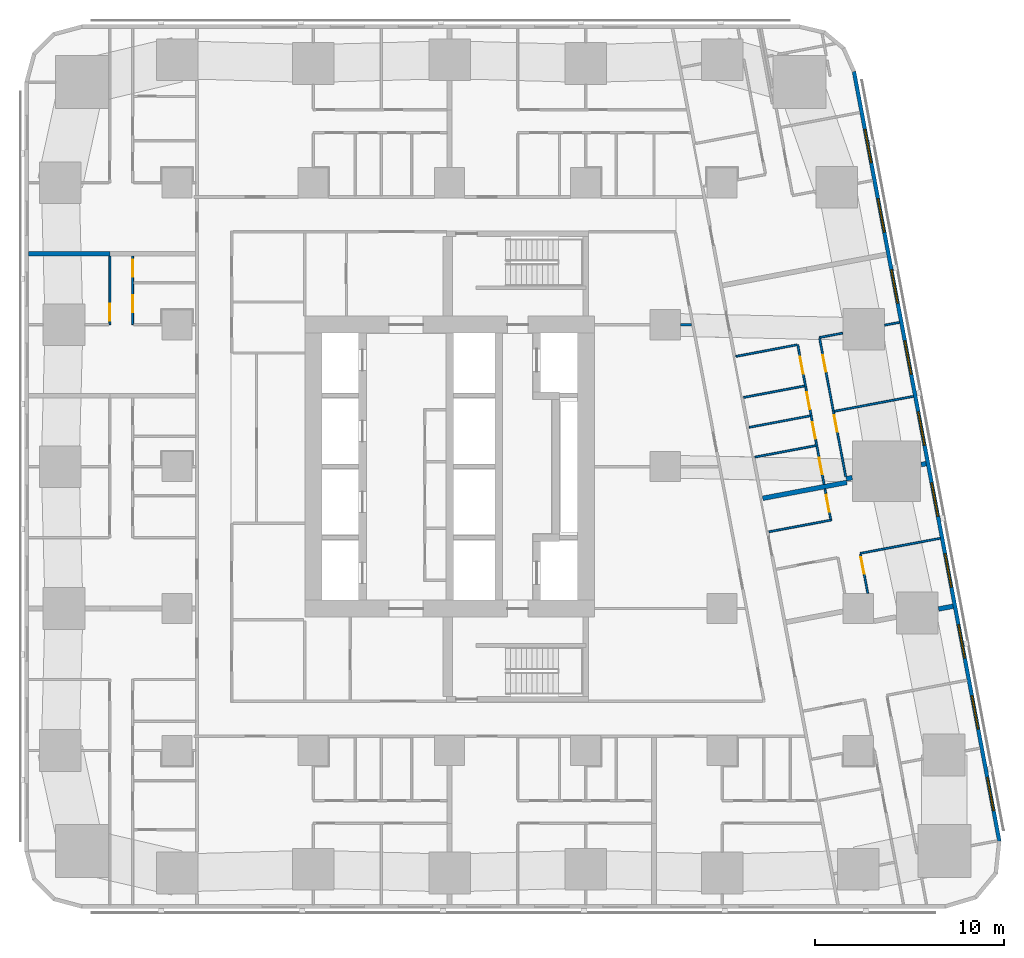
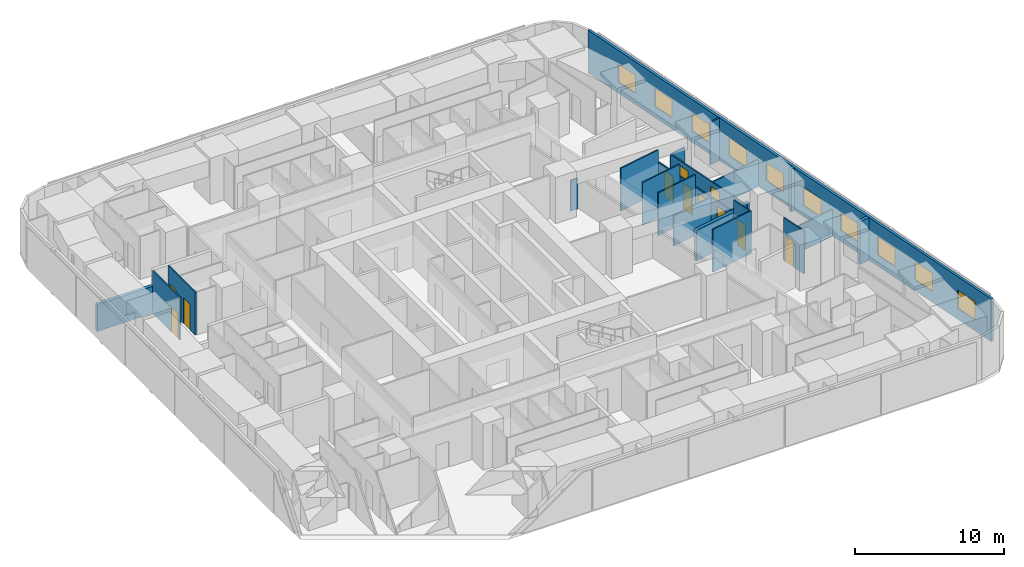
# One storey, part 7 of 15: 22 walls, 11 doors, 10 windows, 21 openings.
"""IFC4 building model written with IfcOpenShell, lengths in metres."""

from ifc_helpers import new_model, si_unit, direction, frame, frame_2d, origin, place, context, subcontext, project, spatial, rectangle, extrude, material, layer, layer_set, type_object, element, fill, save


model = new_model("IFC4")

# Units and contexts
model_context = context("Model", 3, precision=1e-05, world=origin(), true_north=direction((0.0, 1.0)))
body_context = subcontext(model_context, "Body", "Model", "MODEL_VIEW")
ifc_project = project(units=[si_unit("LENGTHUNIT", "METRE"), si_unit("AREAUNIT", "SQUARE_METRE"), si_unit("VOLUMEUNIT", "CUBIC_METRE"), si_unit("PLANEANGLEUNIT", "RADIAN"), si_unit("MASSUNIT", "GRAM", prefix="KILO")], contexts=[model_context])

# Site, building, storey
site_placement = place(None, origin())
site = spatial("IfcSite", under=ifc_project, at=site_placement, CompositionType="ELEMENT")
building_placement = place(site_placement, origin())
building = spatial("IfcBuilding", under=site, at=building_placement, Name="Sheger Commons Tower", CompositionType="ELEMENT")
storey_placement = place(building_placement, frame((0.0, 0.0, 107.89990234375)))
storey = spatial("IfcBuildingStorey", under=building, at=storey_placement, Name="L27", CompositionType="ELEMENT", Elevation=107.89990234375)

# Walls
ifc_material_1 = material(Name="Dense concrete block masonry, plastered both sides (separating wall between flats)", Category="masonry")
ifc_layer_1 = layer(ifc_material_1, 0.25)
ifc_layer_set_1 = layer_set([ifc_layer_1], Name="DEMISING WALL 250")
wall_type_1 = type_object("IfcWallType", Name="DEMISING WALL 250", PredefinedType="SOLIDWALL", material=ifc_layer_set_1)
wall_1_placement = place(storey_placement, frame((-0.64990234375, 33.75, 0.0), z_axis=(0.0, 0.0, 1.0), x_axis=(1.0, 0.0, 0.0)))
element("IfcWall", 1, at=wall_1_placement, inside=storey, type_object=wall_type_1, Name="Demising wall L27", PredefinedType="SOLIDWALL", context=body_context, shape_type="SweptSolid", body=[
    extrude(rectangle(XDim=4.2998046875, YDim=0.25, at=frame_2d((2.14990234375, 0.0))), origin(), (0.0, 0.0, 1.0), 2.2001953125),
])
wall_2_placement = place(storey_placement, frame((46.781982421875, 22.656982421875, 0.0), z_axis=(0.0, 0.0, 1.0), x_axis=(-0.982104607121, -0.188336243648, 0.0)))
element("IfcWall", 2, at=wall_2_placement, inside=storey, type_object=wall_type_1, Name="Demising wall L27", PredefinedType="SOLIDWALL", context=body_context, shape_type="SweptSolid", body=[
    extrude(rectangle(XDim=0.265625, YDim=0.25, at=frame_2d((0.1328125, 0.0))), origin(), (0.0, 0.0, 1.0), 3.5),
])
wall_3_placement = place(storey_placement, frame((42.873046875, 21.91796875, 0.0), z_axis=(0.0, 0.0, 1.0), x_axis=(-0.982431406936, -0.186624035603, 0.0)))
element("IfcWall", 3, at=wall_3_placement, inside=storey, type_object=wall_type_1, Name="Demising wall L27", PredefinedType="SOLIDWALL", context=body_context, shape_type="SweptSolid", body=[
    extrude(rectangle(XDim=0.32177734375, YDim=0.25, at=frame_2d((0.160888671875, 0.0))), origin(), (0.0, 0.0, 1.0), 2.5),
])
wall_4_placement = place(storey_placement, frame((42.593017578125, 21.6650390625, 0.0), z_axis=(0.0, 0.0, 1.0), x_axis=(-0.982612837616, -0.185666398014, 0.0)))
element("IfcWall", 4, at=wall_4_placement, inside=storey, type_object=wall_type_1, Name="Demising wall L27", PredefinedType="SOLIDWALL", context=body_context, shape_type="SweptSolid", body=[
    extrude(rectangle(XDim=4.524658203125, YDim=0.25, at=frame_2d((2.26220703125, 0.0))), origin(), (0.0, 0.0, 1.0), 2.5),
])
wall_5_placement = place(storey_placement, frame((48.2060546875, 15.1201171875, 0.0), z_axis=(0.0, 0.0, 1.0), x_axis=(-0.982638023929, -0.185533053469, 0.0)))
element("IfcWall", 5, at=wall_5_placement, inside=storey, type_object=wall_type_1, Name="Demising wall L27", PredefinedType="SOLIDWALL", context=body_context, shape_type="SweptSolid", body=[
    extrude(rectangle(XDim=0.78173828125, YDim=0.25, at=frame_2d((0.390869140625, 0.0))), origin(), (0.0, 0.0, 1.0), 3.5),
])

# Wall, openings, windows
ifc_material_2 = material(Name="Rendered concrete block masonry, dark grey", Category="masonry")
ifc_layer_2 = layer(ifc_material_2, 0.199951171875)
ifc_layer_set_2 = layer_set([ifc_layer_2], Name="FACADE WALL 200")
wall_type_2 = type_object("IfcWallType", Name="FACADE WALL 200", PredefinedType="SOLIDWALL", material=ifc_layer_set_2)
wall_6_placement = place(storey_placement, frame((50.653076171875, 2.702880859375, 0.0), z_axis=(0.0, 0.0, 1.0), x_axis=(-0.185612026696, 0.982623109613, 0.0)))
wall_6 = element("IfcWall", 6, at=wall_6_placement, inside=storey, type_object=wall_type_2, Name="Facade wall L27", PredefinedType="SOLIDWALL", context=body_context, shape_type="SweptSolid", body=[
    extrude(rectangle(XDim=41.393310546875, YDim=0.199951171875, at=frame_2d((20.69677734375, 0.0))), origin(), (0.0, 0.0, 1.0), 3.5),
])
opening_1_placement = place(wall_6_placement, frame((1.633056640625, 0.0, 0.89990234375)))
opening_1 = element("IfcOpeningElement", 7, at=opening_1_placement, cuts=wall_6, Name="Opening W2", PredefinedType="OPENING", context=body_context, shape_type="SweptSolid", body=[
    extrude(rectangle(XDim=1.800048828125, YDim=1.5, at=frame_2d((0.89990234375, 0.75))), frame((0.0, 0.10986328125, 0.0), z_axis=(0.0, -1.0, 0.0), x_axis=(1.0, 0.0, 0.0)), (0.0, 0.0, 1.0), 0.219970703125),
])
opening_2_placement = place(wall_6_placement, frame((6.031982421875, 0.0, 0.89990234375)))
opening_2 = element("IfcOpeningElement", 8, at=opening_2_placement, cuts=wall_6, Name="Opening W2", PredefinedType="OPENING", context=body_context, shape_type="SweptSolid", body=[
    extrude(rectangle(XDim=1.800048828125, YDim=1.5, at=frame_2d((0.89990234375, 0.75))), frame((0.0, 0.10986328125, 0.0), z_axis=(0.0, -1.0, 0.0), x_axis=(1.0, 0.0, 0.0)), (0.0, 0.0, 1.0), 0.219970703125),
])
opening_3_placement = place(wall_6_placement, frame((9.847900390625, 0.0, 0.89990234375)))
opening_3 = element("IfcOpeningElement", 9, at=opening_3_placement, cuts=wall_6, Name="Opening W2", PredefinedType="OPENING", context=body_context, shape_type="SweptSolid", body=[
    extrude(rectangle(XDim=1.800048828125, YDim=1.5, at=frame_2d((0.89990234375, 0.75))), frame((0.0, 0.10986328125, 0.0), z_axis=(0.0, -1.0, 0.0), x_axis=(1.0, 0.0, 0.0)), (0.0, 0.0, 1.0), 0.219970703125),
])
opening_4_placement = place(wall_6_placement, frame((13.6640625, 0.0, 0.89990234375)))
opening_4 = element("IfcOpeningElement", 10, at=opening_4_placement, cuts=wall_6, Name="Opening W2", PredefinedType="OPENING", context=body_context, shape_type="SweptSolid", body=[
    extrude(rectangle(XDim=1.800048828125, YDim=1.5, at=frame_2d((0.89990234375, 0.75))), frame((0.0, 0.10986328125, 0.0), z_axis=(0.0, -1.0, 0.0), x_axis=(1.0, 0.0, 0.0)), (0.0, 0.0, 1.0), 0.219970703125),
])
opening_5_placement = place(wall_6_placement, frame((17.48095703125, 0.0, 0.89990234375)))
opening_5 = element("IfcOpeningElement", 11, at=opening_5_placement, cuts=wall_6, Name="Opening W2", PredefinedType="OPENING", context=body_context, shape_type="SweptSolid", body=[
    extrude(rectangle(XDim=1.800048828125, YDim=1.5, at=frame_2d((0.89990234375, 0.75))), frame((0.0, 0.10986328125, 0.0), z_axis=(0.0, -1.0, 0.0), x_axis=(1.0, 0.0, 0.0)), (0.0, 0.0, 1.0), 0.219970703125),
])
opening_6_placement = place(wall_6_placement, frame((21.297119140625, 0.0, 0.89990234375)))
opening_6 = element("IfcOpeningElement", 12, at=opening_6_placement, cuts=wall_6, Name="Opening W2", PredefinedType="OPENING", context=body_context, shape_type="SweptSolid", body=[
    extrude(rectangle(XDim=1.800048828125, YDim=1.5, at=frame_2d((0.89990234375, 0.75))), frame((0.0, 0.10986328125, 0.0), z_axis=(0.0, -1.0, 0.0), x_axis=(1.0, 0.0, 0.0)), (0.0, 0.0, 1.0), 0.219970703125),
])
opening_7_placement = place(wall_6_placement, frame((25.113037109375, 0.0, 0.89990234375)))
opening_7 = element("IfcOpeningElement", 13, at=opening_7_placement, cuts=wall_6, Name="Opening W2", PredefinedType="OPENING", context=body_context, shape_type="SweptSolid", body=[
    extrude(rectangle(XDim=1.800048828125, YDim=1.5, at=frame_2d((0.89990234375, 0.75))), frame((0.0, 0.10986328125, 0.0), z_axis=(0.0, -1.0, 0.0), x_axis=(1.0, 0.0, 0.0)), (0.0, 0.0, 1.0), 0.219970703125),
])
opening_8_placement = place(wall_6_placement, frame((28.929931640625, 0.0, 0.89990234375)))
opening_8 = element("IfcOpeningElement", 14, at=opening_8_placement, cuts=wall_6, Name="Opening W2", PredefinedType="OPENING", context=body_context, shape_type="SweptSolid", body=[
    extrude(rectangle(XDim=1.800048828125, YDim=1.5, at=frame_2d((0.89990234375, 0.75))), frame((0.0, 0.10986328125, 0.0), z_axis=(0.0, -1.0, 0.0), x_axis=(1.0, 0.0, 0.0)), (0.0, 0.0, 1.0), 0.219970703125),
])
opening_9_placement = place(wall_6_placement, frame((32.74609375, 0.0, 0.89990234375)))
opening_9 = element("IfcOpeningElement", 15, at=opening_9_placement, cuts=wall_6, Name="Opening W2", PredefinedType="OPENING", context=body_context, shape_type="SweptSolid", body=[
    extrude(rectangle(XDim=1.800048828125, YDim=1.5, at=frame_2d((0.89990234375, 0.75))), frame((0.0, 0.10986328125, 0.0), z_axis=(0.0, -1.0, 0.0), x_axis=(1.0, 0.0, 0.0)), (0.0, 0.0, 1.0), 0.219970703125),
])
opening_10_placement = place(wall_6_placement, frame((36.48095703125, 0.0, 0.89990234375)))
opening_10 = element("IfcOpeningElement", 16, at=opening_10_placement, cuts=wall_6, Name="Opening W2", PredefinedType="OPENING", context=body_context, shape_type="SweptSolid", body=[
    extrude(rectangle(XDim=1.800048828125, YDim=1.5, at=frame_2d((0.89990234375, 0.75))), frame((0.0, 0.10986328125, 0.0), z_axis=(0.0, -1.0, 0.0), x_axis=(1.0, 0.0, 0.0)), (0.0, 0.0, 1.0), 0.219970703125),
])
ifc_material_3 = material(Name="Black aluminium frame, dark tinted double glazing", Category="aluminium")
window_type = type_object("IfcWindowType", Name="WINDOW W2 1800x1500", PartitioningType="SINGLE_PANEL", PredefinedType="WINDOW", material=ifc_material_3)
window_1_placement = place(opening_1_placement, origin())
window_1 = element("IfcWindow", 17, at=window_1_placement, inside=storey, type_object=window_type, Name="Window W2 1800X1500", OverallHeight=1.5, OverallWidth=1.800048828125, PartitioningType="SINGLE_PANEL", PredefinedType="WINDOW", context=body_context, shape_type="SweptSolid", body=[
    extrude(rectangle(XDim=1.800048828125, YDim=1.5, at=frame_2d((0.89990234375, 0.75))), frame((0.0, 0.030029296875, 0.0), z_axis=(0.0, -1.0, 0.0), x_axis=(1.0, 0.0, 0.0)), (0.0, 0.0, 1.0), 0.06005859375),
])
fill(opening_1, window_1)
window_2_placement = place(opening_2_placement, origin())
window_2 = element("IfcWindow", 18, at=window_2_placement, inside=storey, type_object=window_type, Name="Window W2 1800X1500", OverallHeight=1.5, OverallWidth=1.800048828125, PartitioningType="SINGLE_PANEL", PredefinedType="WINDOW", context=body_context, shape_type="SweptSolid", body=[
    extrude(rectangle(XDim=1.800048828125, YDim=1.5, at=frame_2d((0.89990234375, 0.75))), frame((0.0, 0.030029296875, 0.0), z_axis=(0.0, -1.0, 0.0), x_axis=(1.0, 0.0, 0.0)), (0.0, 0.0, 1.0), 0.06005859375),
])
fill(opening_2, window_2)
window_3_placement = place(opening_3_placement, origin())
window_3 = element("IfcWindow", 19, at=window_3_placement, inside=storey, type_object=window_type, Name="Window W2 1800X1500", OverallHeight=1.5, OverallWidth=1.800048828125, PartitioningType="SINGLE_PANEL", PredefinedType="WINDOW", context=body_context, shape_type="SweptSolid", body=[
    extrude(rectangle(XDim=1.800048828125, YDim=1.5, at=frame_2d((0.89990234375, 0.75))), frame((0.0, 0.030029296875, 0.0), z_axis=(0.0, -1.0, 0.0), x_axis=(1.0, 0.0, 0.0)), (0.0, 0.0, 1.0), 0.06005859375),
])
fill(opening_3, window_3)
window_4_placement = place(opening_4_placement, origin())
window_4 = element("IfcWindow", 20, at=window_4_placement, inside=storey, type_object=window_type, Name="Window W2 1800X1500", OverallHeight=1.5, OverallWidth=1.800048828125, PartitioningType="SINGLE_PANEL", PredefinedType="WINDOW", context=body_context, shape_type="SweptSolid", body=[
    extrude(rectangle(XDim=1.800048828125, YDim=1.5, at=frame_2d((0.89990234375, 0.75))), frame((0.0, 0.030029296875, 0.0), z_axis=(0.0, -1.0, 0.0), x_axis=(1.0, 0.0, 0.0)), (0.0, 0.0, 1.0), 0.06005859375),
])
fill(opening_4, window_4)
window_5_placement = place(opening_5_placement, origin())
window_5 = element("IfcWindow", 21, at=window_5_placement, inside=storey, type_object=window_type, Name="Window W2 1800X1500", OverallHeight=1.5, OverallWidth=1.800048828125, PartitioningType="SINGLE_PANEL", PredefinedType="WINDOW", context=body_context, shape_type="SweptSolid", body=[
    extrude(rectangle(XDim=1.800048828125, YDim=1.5, at=frame_2d((0.89990234375, 0.75))), frame((0.0, 0.030029296875, 0.0), z_axis=(0.0, -1.0, 0.0), x_axis=(1.0, 0.0, 0.0)), (0.0, 0.0, 1.0), 0.06005859375),
])
fill(opening_5, window_5)
window_6_placement = place(opening_6_placement, origin())
window_6 = element("IfcWindow", 22, at=window_6_placement, inside=storey, type_object=window_type, Name="Window W2 1800X1500", OverallHeight=1.5, OverallWidth=1.800048828125, PartitioningType="SINGLE_PANEL", PredefinedType="WINDOW", context=body_context, shape_type="SweptSolid", body=[
    extrude(rectangle(XDim=1.800048828125, YDim=1.5, at=frame_2d((0.89990234375, 0.75))), frame((0.0, 0.030029296875, 0.0), z_axis=(0.0, -1.0, 0.0), x_axis=(1.0, 0.0, 0.0)), (0.0, 0.0, 1.0), 0.06005859375),
])
fill(opening_6, window_6)
window_7_placement = place(opening_7_placement, origin())
window_7 = element("IfcWindow", 23, at=window_7_placement, inside=storey, type_object=window_type, Name="Window W2 1800X1500", OverallHeight=1.5, OverallWidth=1.800048828125, PartitioningType="SINGLE_PANEL", PredefinedType="WINDOW", context=body_context, shape_type="SweptSolid", body=[
    extrude(rectangle(XDim=1.800048828125, YDim=1.5, at=frame_2d((0.89990234375, 0.75))), frame((0.0, 0.030029296875, 0.0), z_axis=(0.0, -1.0, 0.0), x_axis=(1.0, 0.0, 0.0)), (0.0, 0.0, 1.0), 0.06005859375),
])
fill(opening_7, window_7)
window_8_placement = place(opening_8_placement, origin())
window_8 = element("IfcWindow", 24, at=window_8_placement, inside=storey, type_object=window_type, Name="Window W2 1800X1500", OverallHeight=1.5, OverallWidth=1.800048828125, PartitioningType="SINGLE_PANEL", PredefinedType="WINDOW", context=body_context, shape_type="SweptSolid", body=[
    extrude(rectangle(XDim=1.800048828125, YDim=1.5, at=frame_2d((0.89990234375, 0.75))), frame((0.0, 0.030029296875, 0.0), z_axis=(0.0, -1.0, 0.0), x_axis=(1.0, 0.0, 0.0)), (0.0, 0.0, 1.0), 0.06005859375),
])
fill(opening_8, window_8)
window_9_placement = place(opening_9_placement, origin())
window_9 = element("IfcWindow", 25, at=window_9_placement, inside=storey, type_object=window_type, Name="Window W2 1800X1500", OverallHeight=1.5, OverallWidth=1.800048828125, PartitioningType="SINGLE_PANEL", PredefinedType="WINDOW", context=body_context, shape_type="SweptSolid", body=[
    extrude(rectangle(XDim=1.800048828125, YDim=1.5, at=frame_2d((0.89990234375, 0.75))), frame((0.0, 0.030029296875, 0.0), z_axis=(0.0, -1.0, 0.0), x_axis=(1.0, 0.0, 0.0)), (0.0, 0.0, 1.0), 0.06005859375),
])
fill(opening_9, window_9)
window_10_placement = place(opening_10_placement, origin())
window_10 = element("IfcWindow", 26, at=window_10_placement, inside=storey, type_object=window_type, Name="Window W2 1800X1500", OverallHeight=1.5, OverallWidth=1.800048828125, PartitioningType="SINGLE_PANEL", PredefinedType="WINDOW", context=body_context, shape_type="SweptSolid", body=[
    extrude(rectangle(XDim=1.800048828125, YDim=1.5, at=frame_2d((0.89990234375, 0.75))), frame((0.0, 0.030029296875, 0.0), z_axis=(0.0, -1.0, 0.0), x_axis=(1.0, 0.0, 0.0)), (0.0, 0.0, 1.0), 0.06005859375),
])
fill(opening_10, window_10)

# Wall, opening, door
ifc_material_4 = material(Name="Gypsum board on steel studs", Category="steel")
ifc_layer_3 = layer(ifc_material_4, 0.10009765625)
ifc_layer_set_3 = layer_set([ifc_layer_3], Name="PARTITION 100")
wall_type_3 = type_object("IfcWallType", Name="PARTITION 100", PredefinedType="PARTITIONING", material=ifc_layer_set_3)
wall_7_placement = place(storey_placement, frame((3.64990234375, 30.0, 0.0), z_axis=(0.0, 0.0, 1.0), x_axis=(0.0, 1.0, 0.0)))
wall_7 = element("IfcWall", 27, at=wall_7_placement, inside=storey, type_object=wall_type_3, Name="Partition L27", PredefinedType="PARTITIONING", context=body_context, shape_type="SweptSolid", body=[
    extrude(rectangle(XDim=3.625, YDim=0.10009765625, at=frame_2d((1.8125, 0.0))), origin(), (0.0, 0.0, 1.0), 3.5),
])
opening_11_placement = place(wall_7_placement, frame((0.199951171875, 0.0, 0.0)))
opening_11 = element("IfcOpeningElement", 28, at=opening_11_placement, cuts=wall_7, Name="Opening D2", PredefinedType="OPENING", context=body_context, shape_type="SweptSolid", body=[
    extrude(rectangle(XDim=0.89990234375, YDim=2.10009765625, at=frame_2d((0.449951171875, 1.050048828125))), frame((0.0, 0.06005859375, 0.0), z_axis=(0.0, -1.0, 0.0), x_axis=(1.0, 0.0, 0.0)), (0.0, 0.0, 1.0), 0.1201171875),
])
ifc_material_5 = material(Name="Timber door set", Category="wood")
door_type = type_object("IfcDoorType", Name="INTERNAL DOOR 900x2100", OperationType="NOTDEFINED", PredefinedType="DOOR", material=ifc_material_5)
door_1_placement = place(opening_11_placement, origin())
door_1 = element("IfcDoor", 29, at=door_1_placement, inside=storey, type_object=door_type, Name="Main bedroom door", OperationType="SINGLE_SWING_LEFT", OverallHeight=2.10009765625, OverallWidth=0.89990234375, PredefinedType="DOOR", context=body_context, shape_type="SweptSolid", body=[
    extrude(rectangle(XDim=0.89990234375, YDim=2.10009765625, at=frame_2d((0.449951171875, 1.050048828125))), frame((0.0, 0.02490234375, 0.0), z_axis=(0.0, -1.0, 0.0), x_axis=(1.0, 0.0, 0.0)), (0.0, 0.0, 1.0), 0.050048828125),
])
fill(opening_11, door_1)

# Wall, openings, doors
wall_8_placement = place(storey_placement, frame((4.85009765625, 30.0, 0.0), z_axis=(0.0, 0.0, 1.0), x_axis=(0.0, 1.0, 0.0)))
wall_8 = element("IfcWall", 30, at=wall_8_placement, inside=storey, type_object=wall_type_3, Name="Partition L27", PredefinedType="PARTITIONING", context=body_context, shape_type="SweptSolid", body=[
    extrude(rectangle(XDim=3.625, YDim=0.10009765625, at=frame_2d((1.8125, 0.0))), origin(), (0.0, 0.0, 1.0), 3.5),
])
opening_12_placement = place(wall_8_placement, frame((0.655029296875, 0.0, 0.0)))
opening_12 = element("IfcOpeningElement", 31, at=opening_12_placement, cuts=wall_8, Name="Opening D2", PredefinedType="OPENING", context=body_context, shape_type="SweptSolid", body=[
    extrude(rectangle(XDim=0.89990234375, YDim=2.10009765625, at=frame_2d((0.449951171875, 1.050048828125))), frame((0.0, 0.06005859375, 0.0), z_axis=(0.0, -1.0, 0.0), x_axis=(1.0, 0.0, 0.0)), (0.0, 0.0, 1.0), 0.1201171875),
])
opening_13_placement = place(wall_8_placement, frame((2.530029296875, 0.0, 0.0)))
opening_13 = element("IfcOpeningElement", 32, at=opening_13_placement, cuts=wall_8, Name="Opening D2", PredefinedType="OPENING", context=body_context, shape_type="SweptSolid", body=[
    extrude(rectangle(XDim=0.89990234375, YDim=2.10009765625, at=frame_2d((0.449951171875, 1.050048828125))), frame((0.0, 0.06005859375, 0.0), z_axis=(0.0, -1.0, 0.0), x_axis=(1.0, 0.0, 0.0)), (0.0, 0.0, 1.0), 0.1201171875),
])
door_2_placement = place(opening_12_placement, origin())
door_2 = element("IfcDoor", 33, at=door_2_placement, inside=storey, type_object=door_type, Name="Bathroom door", OperationType="SINGLE_SWING_RIGHT", OverallHeight=2.10009765625, OverallWidth=0.89990234375, PredefinedType="DOOR", context=body_context, shape_type="SweptSolid", body=[
    extrude(rectangle(XDim=0.89990234375, YDim=2.10009765625, at=frame_2d((0.449951171875, 1.050048828125))), frame((0.0, 0.02490234375, 0.0), z_axis=(0.0, -1.0, 0.0), x_axis=(1.0, 0.0, 0.0)), (0.0, 0.0, 1.0), 0.050048828125),
])
fill(opening_12, door_2)
door_3_placement = place(opening_13_placement, origin())
door_3 = element("IfcDoor", 34, at=door_3_placement, inside=storey, type_object=door_type, Name="Store door", OperationType="SINGLE_SWING_LEFT", OverallHeight=2.10009765625, OverallWidth=0.89990234375, PredefinedType="DOOR", context=body_context, shape_type="SweptSolid", body=[
    extrude(rectangle(XDim=0.89990234375, YDim=2.10009765625, at=frame_2d((0.449951171875, 1.050048828125))), frame((0.0, 0.02490234375, 0.0), z_axis=(0.0, -1.0, 0.0), x_axis=(1.0, 0.0, 0.0)), (0.0, 0.0, 1.0), 0.050048828125),
])
fill(opening_13, door_3)

wall_9_placement = place(storey_placement, frame((41.156982421875, 29.27294921875, 0.0), z_axis=(0.0, 0.0, 1.0), x_axis=(0.18542464283, -0.982658486877, 0.0)))
wall_9 = element("IfcWall", 35, at=wall_9_placement, inside=storey, type_object=wall_type_3, Name="Partition L27", PredefinedType="PARTITIONING", context=body_context, shape_type="SweptSolid", body=[
    extrude(rectangle(XDim=7.420654296875, YDim=0.10009765625, at=frame_2d((3.71044921875, 0.0))), origin(), (0.0, 0.0, 1.0), 2.5),
])
opening_14_placement = place(wall_9_placement, frame((0.89990234375, 0.0, 0.0)))
opening_14 = element("IfcOpeningElement", 36, at=opening_14_placement, cuts=wall_9, Name="Opening D2", PredefinedType="OPENING", context=body_context, shape_type="SweptSolid", body=[
    extrude(rectangle(XDim=0.89990234375, YDim=2.10009765625, at=frame_2d((0.449951171875, 1.050048828125))), frame((0.0, 0.06005859375, 0.0), z_axis=(0.0, -1.0, 0.0), x_axis=(1.0, 0.0, 0.0)), (0.0, 0.0, 1.0), 0.1201171875),
])
opening_15_placement = place(wall_9_placement, frame((4.1259765625, 0.0, 0.0)))
opening_15 = element("IfcOpeningElement", 37, at=opening_15_placement, cuts=wall_9, Name="Opening D2", PredefinedType="OPENING", context=body_context, shape_type="SweptSolid", body=[
    extrude(rectangle(XDim=0.89990234375, YDim=2.10009765625, at=frame_2d((0.449951171875, 1.050048828125))), frame((0.0, 0.06005859375, 0.0), z_axis=(0.0, -1.0, 0.0), x_axis=(1.0, 0.0, 0.0)), (0.0, 0.0, 1.0), 0.1201171875),
])
door_4_placement = place(opening_14_placement, origin())
door_4 = element("IfcDoor", 38, at=door_4_placement, inside=storey, type_object=door_type, Name="Main bedroom door", OperationType="SINGLE_SWING_LEFT", OverallHeight=2.10009765625, OverallWidth=0.89990234375, PredefinedType="DOOR", context=body_context, shape_type="SweptSolid", body=[
    extrude(rectangle(XDim=0.89990234375, YDim=2.10009765625, at=frame_2d((0.449951171875, 1.050048828125))), frame((0.0, 0.02490234375, 0.0), z_axis=(0.0, -1.0, 0.0), x_axis=(1.0, 0.0, 0.0)), (0.0, 0.0, 1.0), 0.050048828125),
])
fill(opening_14, door_4)
door_5_placement = place(opening_15_placement, origin())
door_5 = element("IfcDoor", 39, at=door_5_placement, inside=storey, type_object=door_type, Name="Bedroom 2 door", OperationType="SINGLE_SWING_LEFT", OverallHeight=2.10009765625, OverallWidth=0.89990234375, PredefinedType="DOOR", context=body_context, shape_type="SweptSolid", body=[
    extrude(rectangle(XDim=0.89990234375, YDim=2.10009765625, at=frame_2d((0.449951171875, 1.050048828125))), frame((0.0, 0.02490234375, 0.0), z_axis=(0.0, -1.0, 0.0), x_axis=(1.0, 0.0, 0.0)), (0.0, 0.0, 1.0), 0.050048828125),
])
fill(opening_15, door_5)

wall_10_placement = place(storey_placement, frame((39.9970703125, 28.94189453125, 0.0), z_axis=(0.0, 0.0, 1.0), x_axis=(0.185686318797, -0.982609073341, 0.0)))
wall_10 = element("IfcWall", 40, at=wall_10_placement, inside=storey, type_object=wall_type_3, Name="Partition L27", PredefinedType="PARTITIONING", context=body_context, shape_type="SweptSolid", body=[
    extrude(rectangle(XDim=7.507568359375, YDim=0.10009765625, at=frame_2d((3.75390625, 0.0))), origin(), (0.0, 0.0, 1.0), 2.5),
])
opening_16_placement = place(wall_10_placement, frame((0.655029296875, 0.0, 0.0)))
opening_16 = element("IfcOpeningElement", 41, at=opening_16_placement, cuts=wall_10, Name="Opening D2", PredefinedType="OPENING", context=body_context, shape_type="SweptSolid", body=[
    extrude(rectangle(XDim=0.89990234375, YDim=2.10009765625, at=frame_2d((0.449951171875, 1.050048828125))), frame((0.0, 0.06005859375, 0.0), z_axis=(0.0, -1.0, 0.0), x_axis=(1.0, 0.0, 0.0)), (0.0, 0.0, 1.0), 0.1201171875),
])
opening_17_placement = place(wall_10_placement, frame((4.166015625, 0.0, 0.0)))
opening_17 = element("IfcOpeningElement", 42, at=opening_17_placement, cuts=wall_10, Name="Opening D2", PredefinedType="OPENING", context=body_context, shape_type="SweptSolid", body=[
    extrude(rectangle(XDim=0.89990234375, YDim=2.10009765625, at=frame_2d((0.449951171875, 1.050048828125))), frame((0.0, 0.06005859375, 0.0), z_axis=(0.0, -1.0, 0.0), x_axis=(1.0, 0.0, 0.0)), (0.0, 0.0, 1.0), 0.1201171875),
])
opening_18_placement = place(wall_10_placement, frame((2.56298828125, 0.0, 0.0)))
opening_18 = element("IfcOpeningElement", 43, at=opening_18_placement, cuts=wall_10, Name="Opening D2", PredefinedType="OPENING", context=body_context, shape_type="SweptSolid", body=[
    extrude(rectangle(XDim=0.89990234375, YDim=2.10009765625, at=frame_2d((0.449951171875, 1.050048828125))), frame((0.0, 0.06005859375, 0.0), z_axis=(0.0, -1.0, 0.0), x_axis=(1.0, 0.0, 0.0)), (0.0, 0.0, 1.0), 0.1201171875),
])
opening_19_placement = place(wall_10_placement, frame((6.073974609375, 0.0, 0.0)))
opening_19 = element("IfcOpeningElement", 44, at=opening_19_placement, cuts=wall_10, Name="Opening D2", PredefinedType="OPENING", context=body_context, shape_type="SweptSolid", body=[
    extrude(rectangle(XDim=0.89990234375, YDim=2.10009765625, at=frame_2d((0.449951171875, 1.050048828125))), frame((0.0, 0.06005859375, 0.0), z_axis=(0.0, -1.0, 0.0), x_axis=(1.0, 0.0, 0.0)), (0.0, 0.0, 1.0), 0.1201171875),
])
door_6_placement = place(opening_16_placement, origin())
door_6 = element("IfcDoor", 45, at=door_6_placement, inside=storey, type_object=door_type, Name="Bathroom door", OperationType="SINGLE_SWING_RIGHT", OverallHeight=2.10009765625, OverallWidth=0.89990234375, PredefinedType="DOOR", context=body_context, shape_type="SweptSolid", body=[
    extrude(rectangle(XDim=0.89990234375, YDim=2.10009765625, at=frame_2d((0.449951171875, 1.050048828125))), frame((0.0, 0.02490234375, 0.0), z_axis=(0.0, -1.0, 0.0), x_axis=(1.0, 0.0, 0.0)), (0.0, 0.0, 1.0), 0.050048828125),
])
fill(opening_16, door_6)
door_7_placement = place(opening_17_placement, origin())
door_7 = element("IfcDoor", 46, at=door_7_placement, inside=storey, type_object=door_type, Name="Shower room door", OperationType="SINGLE_SWING_LEFT", OverallHeight=2.10009765625, OverallWidth=0.89990234375, PredefinedType="DOOR", context=body_context, shape_type="SweptSolid", body=[
    extrude(rectangle(XDim=0.89990234375, YDim=2.10009765625, at=frame_2d((0.449951171875, 1.050048828125))), frame((0.0, 0.02490234375, 0.0), z_axis=(0.0, -1.0, 0.0), x_axis=(1.0, 0.0, 0.0)), (0.0, 0.0, 1.0), 0.050048828125),
])
fill(opening_17, door_7)
door_8_placement = place(opening_18_placement, origin())
door_8 = element("IfcDoor", 47, at=door_8_placement, inside=storey, type_object=door_type, Name="Store door", OperationType="SINGLE_SWING_LEFT", OverallHeight=2.10009765625, OverallWidth=0.89990234375, PredefinedType="DOOR", context=body_context, shape_type="SweptSolid", body=[
    extrude(rectangle(XDim=0.89990234375, YDim=2.10009765625, at=frame_2d((0.449951171875, 1.050048828125))), frame((0.0, 0.02490234375, 0.0), z_axis=(0.0, -1.0, 0.0), x_axis=(1.0, 0.0, 0.0)), (0.0, 0.0, 1.0), 0.050048828125),
])
fill(opening_18, door_8)
door_9_placement = place(opening_19_placement, origin())
door_9 = element("IfcDoor", 48, at=door_9_placement, inside=storey, type_object=door_type, Name="Store door", OperationType="SINGLE_SWING_LEFT", OverallHeight=2.10009765625, OverallWidth=0.89990234375, PredefinedType="DOOR", context=body_context, shape_type="SweptSolid", body=[
    extrude(rectangle(XDim=0.89990234375, YDim=2.10009765625, at=frame_2d((0.449951171875, 1.050048828125))), frame((0.0, 0.02490234375, 0.0), z_axis=(0.0, -1.0, 0.0), x_axis=(1.0, 0.0, 0.0)), (0.0, 0.0, 1.0), 0.050048828125),
])
fill(opening_19, door_9)

# Walls
wall_11_placement = place(storey_placement, frame((45.3720703125, 30.12109375, 0.0), z_axis=(0.0, 0.0, 1.0), x_axis=(-0.982512656401, -0.186195810938, 0.0)))
element("IfcWall", 49, at=wall_11_placement, inside=storey, type_object=wall_type_3, Name="Partition L27", PredefinedType="PARTITIONING", context=body_context, shape_type="SweptSolid", body=[
    extrude(rectangle(XDim=0.7958984375, YDim=0.10009765625, at=frame_2d((0.39794921875, 0.0))), origin(), (0.0, 0.0, 1.0), 3.5),
])
wall_12_placement = place(storey_placement, frame((42.3701171875, 29.552978515625, 0.0), z_axis=(0.0, 0.0, 1.0), x_axis=(-0.98263602344, -0.185543648338, 0.0)))
element("IfcWall", 50, at=wall_12_placement, inside=storey, type_object=wall_type_3, Name="Partition L27", PredefinedType="PARTITIONING", context=body_context, shape_type="SweptSolid", body=[
    extrude(rectangle(XDim=1.244873046875, YDim=0.10009765625, at=frame_2d((0.62255859375, 0.0))), origin(), (0.0, 0.0, 1.0), 2.5),
])
wall_13_placement = place(storey_placement, frame((46.110107421875, 26.212890625, 0.0), z_axis=(0.0, 0.0, 1.0), x_axis=(-0.982623519589, -0.185609856287, 0.0)))
element("IfcWall", 51, at=wall_13_placement, inside=storey, type_object=wall_type_3, Name="Partition L27", PredefinedType="PARTITIONING", context=body_context, shape_type="SweptSolid", body=[
    extrude(rectangle(XDim=4.249755859375, YDim=0.10009765625, at=frame_2d((2.125, 0.0))), origin(), (0.0, 0.0, 1.0), 2.2001953125),
])
wall_14_placement = place(storey_placement, frame((39.947998046875, 28.93310546875, 0.0), z_axis=(0.0, 0.0, 1.0), x_axis=(-0.982542259571, -0.186039533857, 0.0)))
element("IfcWall", 52, at=wall_14_placement, inside=storey, type_object=wall_type_3, Name="Partition L27", PredefinedType="PARTITIONING", context=body_context, shape_type="SweptSolid", body=[
    extrude(rectangle(XDim=3.274169921875, YDim=0.10009765625, at=frame_2d((1.63720703125, 0.0))), origin(), (0.0, 0.0, 1.0), 3.5),
])
wall_15_placement = place(storey_placement, frame((40.656005859375, 25.18310546875, 0.0), z_axis=(0.0, 0.0, 1.0), x_axis=(-0.982596739811, -0.18575157311, 0.0)))
element("IfcWall", 53, at=wall_15_placement, inside=storey, type_object=wall_type_3, Name="Partition L27", PredefinedType="PARTITIONING", context=body_context, shape_type="SweptSolid", body=[
    extrude(rectangle(XDim=3.27392578125, YDim=0.10009765625, at=frame_2d((1.636962890625, 0.0))), origin(), (0.0, 0.0, 1.0), 3.5),
])
wall_16_placement = place(storey_placement, frame((40.35791015625, 26.760986328125, 0.0), z_axis=(0.0, 0.0, 1.0), x_axis=(-0.982607776398, -0.185693181787, 0.0)))
element("IfcWall", 54, at=wall_16_placement, inside=storey, type_object=wall_type_3, Name="Partition L27", PredefinedType="PARTITIONING", context=body_context, shape_type="SweptSolid", body=[
    extrude(rectangle(XDim=3.273681640625, YDim=0.10009765625, at=frame_2d((1.63671875, 0.0))), origin(), (0.0, 0.0, 1.0), 3.5),
])
wall_17_placement = place(storey_placement, frame((40.9541015625, 23.610107421875, 0.0), z_axis=(0.0, 0.0, 1.0), x_axis=(-0.982661397469, -0.185409217473, 0.0)))
element("IfcWall", 55, at=wall_17_placement, inside=storey, type_object=wall_type_3, Name="Partition L27", PredefinedType="PARTITIONING", context=body_context, shape_type="SweptSolid", body=[
    extrude(rectangle(XDim=3.27490234375, YDim=0.10009765625, at=frame_2d((1.637451171875, 0.0))), origin(), (0.0, 0.0, 1.0), 2.5),
])

# Wall, opening, door
wall_18_placement = place(storey_placement, frame((41.43701171875, 21.319091796875, 0.0), z_axis=(0.0, 0.0, 1.0), x_axis=(0.185793689589, -0.982588777113, 0.0)))
wall_18 = element("IfcWall", 56, at=wall_18_placement, inside=storey, type_object=wall_type_3, Name="Partition L27", PredefinedType="PARTITIONING", context=body_context, shape_type="SweptSolid", body=[
    extrude(rectangle(XDim=1.62548828125, YDim=0.10009765625, at=frame_2d((0.812744140625, 0.0))), origin(), (0.0, 0.0, 1.0), 3.5),
])
opening_20_placement = place(wall_18_placement, frame((0.324951171875, 0.0, 0.0)))
opening_20 = element("IfcOpeningElement", 57, at=opening_20_placement, cuts=wall_18, Name="Opening D2", PredefinedType="OPENING", context=body_context, shape_type="SweptSolid", body=[
    extrude(rectangle(XDim=0.89990234375, YDim=2.10009765625, at=frame_2d((0.449951171875, 1.050048828125))), frame((0.0, 0.06005859375, 0.0), z_axis=(0.0, -1.0, 0.0), x_axis=(1.0, 0.0, 0.0)), (0.0, 0.0, 1.0), 0.1201171875),
])
door_10_placement = place(opening_20_placement, origin())
door_10 = element("IfcDoor", 58, at=door_10_placement, inside=storey, type_object=door_type, Name="Shower room door", OperationType="SINGLE_SWING_RIGHT", OverallHeight=2.10009765625, OverallWidth=0.89990234375, PredefinedType="DOOR", context=body_context, shape_type="SweptSolid", body=[
    extrude(rectangle(XDim=0.89990234375, YDim=2.10009765625, at=frame_2d((0.449951171875, 1.050048828125))), frame((0.0, 0.02490234375, 0.0), z_axis=(0.0, -1.0, 0.0), x_axis=(1.0, 0.0, 0.0)), (0.0, 0.0, 1.0), 0.050048828125),
])
fill(opening_20, door_10)

# Wall
wall_19_placement = place(storey_placement, frame((41.798095703125, 19.681884765625, 0.0), z_axis=(0.0, 0.0, 1.0), x_axis=(-0.982656183703, -0.185436848091, 0.0)))
element("IfcWall", 59, at=wall_19_placement, inside=storey, type_object=wall_type_3, Name="Partition L27", PredefinedType="PARTITIONING", context=body_context, shape_type="SweptSolid", body=[
    extrude(rectangle(XDim=3.375732421875, YDim=0.10009765625, at=frame_2d((1.68798828125, 0.0))), origin(), (0.0, 0.0, 1.0), 3.5),
])

# Wall, opening, door
wall_20_placement = place(storey_placement, frame((43.31103515625, 17.864990234375, 0.0), z_axis=(0.0, 0.0, 1.0), x_axis=(0.185507827929, -0.982642786457, 0.0)))
wall_20 = element("IfcWall", 60, at=wall_20_placement, inside=storey, type_object=wall_type_3, Name="Partition L27", PredefinedType="PARTITIONING", context=body_context, shape_type="SweptSolid", body=[
    extrude(rectangle(XDim=2.09130859375, YDim=0.10009765625, at=frame_2d((1.045654296875, 0.0))), origin(), (0.0, 0.0, 1.0), 3.5),
])
opening_21_placement = place(wall_20_placement, frame((0.14990234375, 0.0, 0.0)))
opening_21 = element("IfcOpeningElement", 61, at=opening_21_placement, cuts=wall_20, Name="Opening D2", PredefinedType="OPENING", context=body_context, shape_type="SweptSolid", body=[
    extrude(rectangle(XDim=0.89990234375, YDim=2.10009765625, at=frame_2d((0.449951171875, 1.050048828125))), frame((0.0, 0.06005859375, 0.0), z_axis=(0.0, -1.0, 0.0), x_axis=(1.0, 0.0, 0.0)), (0.0, 0.0, 1.0), 0.1201171875),
])
door_11_placement = place(opening_21_placement, origin())
door_11 = element("IfcDoor", 62, at=door_11_placement, inside=storey, type_object=door_type, Name="Main bedroom door", OperationType="SINGLE_SWING_LEFT", OverallHeight=2.10009765625, OverallWidth=0.89990234375, PredefinedType="DOOR", context=body_context, shape_type="SweptSolid", body=[
    extrude(rectangle(XDim=0.89990234375, YDim=2.10009765625, at=frame_2d((0.449951171875, 1.050048828125))), frame((0.0, 0.02490234375, 0.0), z_axis=(0.0, -1.0, 0.0), x_axis=(1.0, 0.0, 0.0)), (0.0, 0.0, 1.0), 0.050048828125),
])
fill(opening_21, door_11)

# Walls
wall_21_placement = place(storey_placement, frame((47.527099609375, 18.7119140625, 0.0), z_axis=(0.0, 0.0, 1.0), x_axis=(-0.982633535512, -0.185556823879, 0.0)))
element("IfcWall", 63, at=wall_21_placement, inside=storey, type_object=wall_type_3, Name="Partition L27", PredefinedType="PARTITIONING", context=body_context, shape_type="SweptSolid", body=[
    extrude(rectangle(XDim=4.2998046875, YDim=0.10009765625, at=frame_2d((2.14990234375, 0.0))), origin(), (0.0, 0.0, 1.0), 2.2001953125),
])
ifc_material_6 = material(Name="Gypsum board on steel studs, two layers each side, fire rated", Category="steel")
ifc_layer_4 = layer(ifc_material_6, 0.125)
ifc_layer_set_4 = layer_set([ifc_layer_4], Name="SERVICE WALL 125")
wall_type_4 = type_object("IfcWallType", Name="SERVICE WALL 125", PredefinedType="PARTITIONING", material=ifc_layer_set_4)
wall_22_placement = place(storey_placement, frame((33.801025390625, 30.0, 0.0), z_axis=(0.0, 0.0, 1.0), x_axis=(1.0, 0.0, 0.0)))
element("IfcWall", 64, at=wall_22_placement, inside=storey, type_object=wall_type_4, Name="Service room wall L27", PredefinedType="PARTITIONING", context=body_context, shape_type="SweptSolid", body=[
    extrude(rectangle(XDim=0.577880859375, YDim=0.125, at=frame_2d((0.2890625, 0.0))), origin(), (0.0, 0.0, 1.0), 2.5),
])

save(model, "model.ifc")
